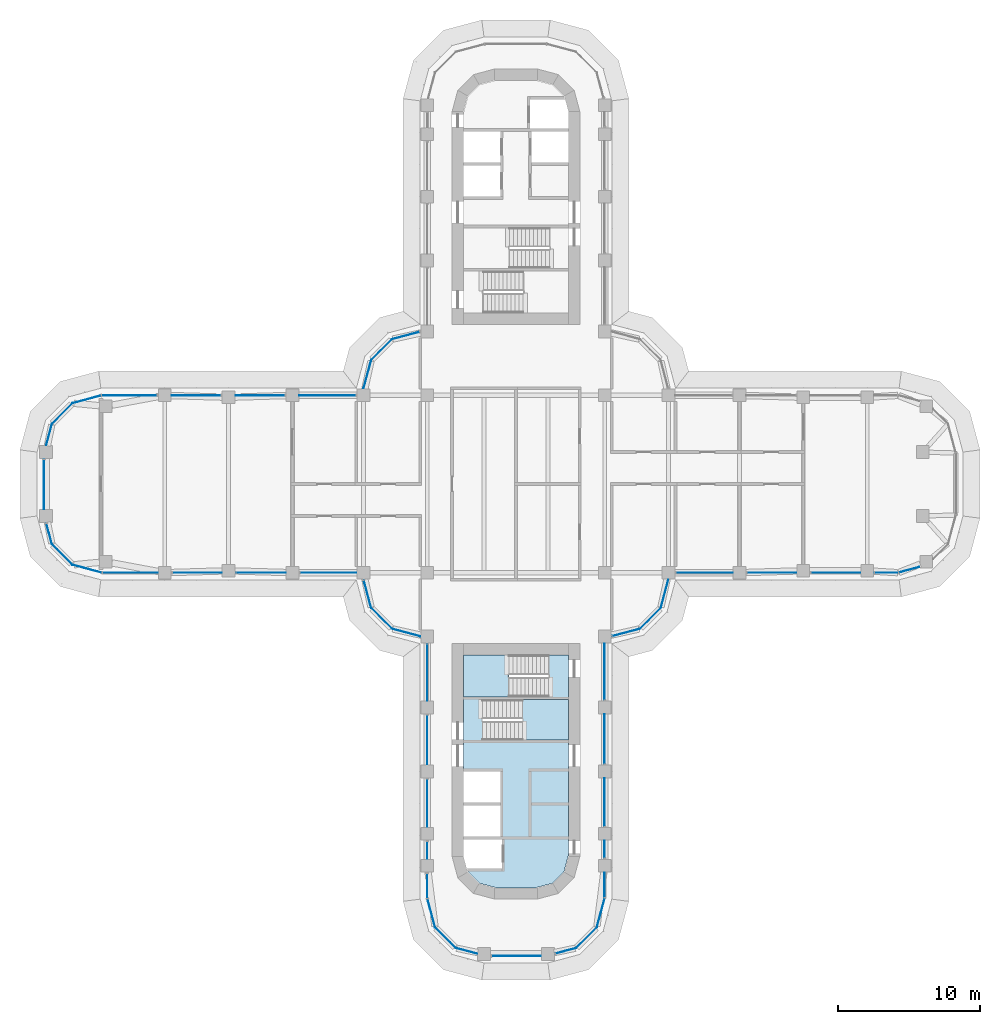
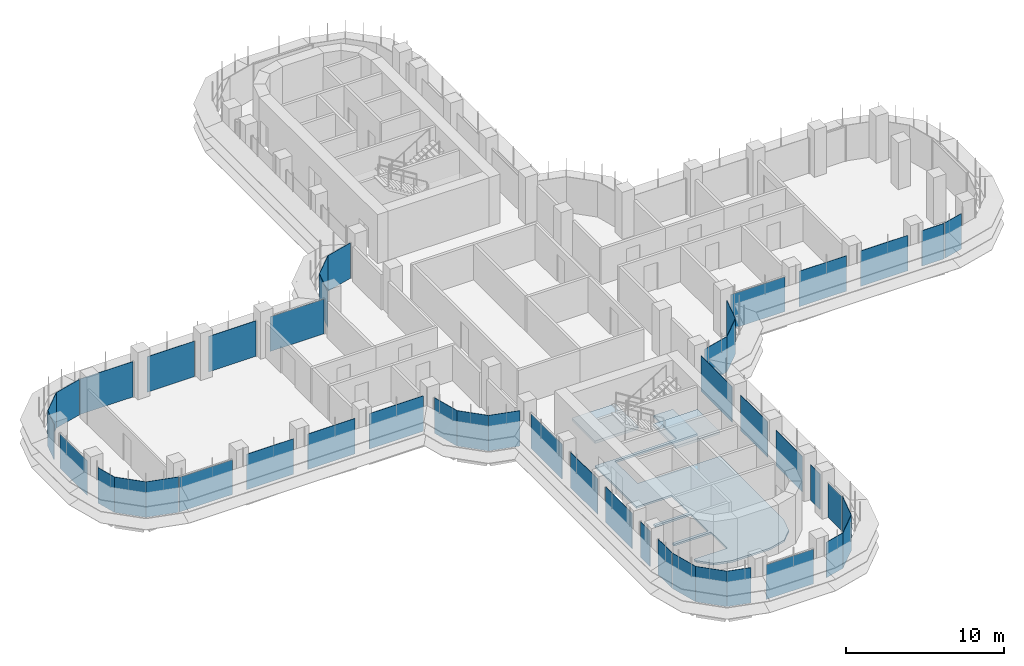
# One storey, part 12 of 22: 46 plates, 3 slabs, 31 elements without a shape of their own.
"""IFC4 building model written with IfcOpenShell, lengths in metres."""

from ifc_helpers import new_model, si_unit, direction, frame, origin, place, context, subcontext, project, spatial, polyline, outline, extrude, source, transform, mapped, material, layer, layer_set, type_object, element, aggregate, save


model = new_model("IFC4")

# Units and contexts
model_context = context("Model", 3, precision=1e-05, world=origin(), true_north=direction((0.0, 1.0)))
body_context = subcontext(model_context, "Body", "Model", "MODEL_VIEW")
ifc_project = project(units=[si_unit("LENGTHUNIT", "METRE"), si_unit("AREAUNIT", "SQUARE_METRE"), si_unit("VOLUMEUNIT", "CUBIC_METRE"), si_unit("PLANEANGLEUNIT", "RADIAN"), si_unit("MASSUNIT", "GRAM", prefix="KILO")], contexts=[model_context])

# Site, building, storey
site_placement = place(None, origin())
site = spatial("IfcSite", under=ifc_project, at=site_placement, CompositionType="ELEMENT")
building_placement = place(site_placement, origin())
building = spatial("IfcBuilding", under=site, at=building_placement, Name="Zarbagh Exchange Tower", CompositionType="ELEMENT")
storey_placement = place(building_placement, frame((0.0, 0.0, 132.199951171875)))
storey = spatial("IfcBuildingStorey", under=building, at=storey_placement, Name="L31", CompositionType="ELEMENT", Elevation=132.199951171875)

# Slab
ifc_material_1 = material(Name="Concrete C40/50", Category="concrete")
ifc_layer_1 = layer(ifc_material_1, 0.14990234375)
ifc_layer_set_1 = layer_set([ifc_layer_1], Name="Core floor slab 150 C40/50")
slab_type_1 = type_object("IfcSlabType", Name="Core floor slab 150 C40/50", PredefinedType="FLOOR", material=ifc_layer_set_1)
slab_1_placement = place(storey_placement, frame((0.0, 0.0, -0.14990234375)))
element("IfcSlab", 1, at=slab_1_placement, inside=storey, type_object=slab_type_1, Name="S17 core S", PredefinedType="FLOOR", context=body_context, shape_type="SweptSolid", body=[
    extrude(outline(polyline([(-2.5859375, -28.130859375), (-3.380859375, -27.3359375), (-3.646484375, -26.3447265625), (-3.444091796875, -27.10009765625), (-1.0, -27.10009765625), (-1.0, -25.050048828125), (-3.699951171875, -25.050048828125), (-3.699951171875, -24.85009765625), (-1.10009765625, -24.85009765625), (-1.10009765625, -22.64990234375), (-3.699951171875, -22.64990234375), (-3.699951171875, -22.449951171875), (-1.10009765625, -22.449951171875), (-1.10009765625, -20.25), (-3.699951171875, -20.25), (-3.699951171875, -15.0), (2.300048828125, -15.0), (2.300048828125, -12.050048828125), (3.699951171875, -12.050048828125), (3.699951171875, -15.199951171875), (-2.35009765625, -15.199951171875), (-2.35009765625, -18.050048828125), (3.699951171875, -18.050048828125), (3.699951171875, -26.144775390625), (3.380859375, -27.3359375), (2.5859375, -28.130859375), (1.394775390625, -28.449951171875), (-1.394775390625, -28.449951171875), (-2.5859375, -28.130859375)])), origin(), (0.0, 0.0, 1.0), 0.14990234375),
])

# Stair, slab
stair_type = type_object("IfcStairType", Name="Exit stair two-flight half-turn", PredefinedType="HALF_TURN_STAIR", material=ifc_material_1)
stair_1_placement = place(storey_placement, origin())
stair_1 = element("IfcStair", 2, at=stair_1_placement, inside=storey, type_object=stair_type, Name="exit stair ST3", PredefinedType="HALF_TURN_STAIR")
ifc_layer_2 = layer(ifc_material_1, 0.199951171875)
ifc_layer_set_2 = layer_set([ifc_layer_2], Name="Stair landing 200 mm")
slab_type_2 = type_object("IfcSlabType", Name="Stair landing 200 mm", PredefinedType="LANDING", material=ifc_layer_set_2)
slab_2_placement = place(storey_placement, frame((0.0, 0.0, 1.699951171875)))
slab_2 = element("IfcSlab", 3, at=slab_2_placement, type_object=slab_type_2, Name="ST3 landing 1", PredefinedType="LANDING", context=body_context, shape_type="SweptSolid", body=[
    extrude(outline(polyline([(0.449951171875, -18.050048828125), (3.699951171875, -18.050048828125), (3.699951171875, -15.199951171875), (0.449951171875, -15.199951171875), (0.449951171875, -18.050048828125)])), origin(), (0.0, 0.0, 1.0), 0.2001953125),
])
aggregate(stair_1, [slab_2])

stair_2_placement = place(storey_placement, origin())
stair_2 = element("IfcStair", 4, at=stair_2_placement, inside=storey, type_object=stair_type, Name="exit stair ST4", PredefinedType="HALF_TURN_STAIR")
slab_3_placement = place(storey_placement, frame((0.0, 0.0, 1.699951171875)))
slab_3 = element("IfcSlab", 5, at=slab_3_placement, type_object=slab_type_2, Name="ST4 landing 1", PredefinedType="LANDING", context=body_context, shape_type="SweptSolid", body=[
    extrude(outline(polyline([(-0.5, -12.050048828125), (-3.699951171875, -12.050048828125), (-3.699951171875, -15.0), (-0.5, -15.0), (-0.5, -12.050048828125)])), origin(), (0.0, 0.0, 1.0), 0.2001953125),
])
aggregate(stair_2, [slab_3])

# Curtain wall, plate
ifc_material_2 = material(Name="Anodised aluminium frame and glazing", Category="aluminium")
curtain_wall_type = type_object("IfcCurtainWallType", Name="CWA Ribbon glazing, lower zones", PredefinedType="NOTDEFINED", material=ifc_material_2)
curtain_wall_1_placement = place(storey_placement, origin())
curtain_wall_1 = element("IfcCurtainWall", 6, at=curtain_wall_1_placement, inside=storey, type_object=curtain_wall_type, Name="CWA01 curtain wall", PredefinedType="NOTDEFINED")
ifc_material_3 = material(Name="Low-e double glazed unit, 6+12+6 mm")
ifc_layer_3 = layer(ifc_material_3, 0.028076171875)
ifc_layer_set_3 = layer_set([ifc_layer_3], Name="PAA Glazing panel, Low-e double glazed unit, 6+12+6 mm")
plate_type = type_object("IfcPlateType", Name="PAA Glazing panel, Low-e double glazed unit, 6+12+6 mm", PredefinedType="CURTAIN_PANEL", material=ifc_layer_set_3)
shared_shape_1 = source(origin(), body_context, "Body", "SweptSolid", [
    extrude(outline(polyline([(0.0, -0.013916015625), (1.494140625, -0.013916015625), (1.494140625, 0.013916015625), (0.0, 0.013916015625), (0.0, -0.013916015625)])), origin(), (0.0, 0.0, 1.0), 2.75),
])
placement = place(storey_placement, origin())
plate_1 = element("IfcPlate", 7, at=placement, type_object=plate_type, Name="CWA01 glazing panel 1.1", PredefinedType="CURTAIN_PANEL", context=body_context, shape_type="MappedRepresentation", body=[
    mapped(shared_shape_1, transform((2.7978515625, -33.08544921875, 0.0), x_axis=(0.965924289636, 0.258824779902, 0.0), y_axis=(-0.258824779902, 0.965924289636, 0.0), z_axis=(0.0, 0.0, 1.0))),
])
aggregate(curtain_wall_1, [plate_1])

curtain_wall_2_placement = place(storey_placement, origin())
curtain_wall_2 = element("IfcCurtainWall", 8, at=curtain_wall_2_placement, inside=storey, type_object=curtain_wall_type, Name="CWA37 curtain wall", PredefinedType="NOTDEFINED")
plate_2 = element("IfcPlate", 9, at=placement, type_object=plate_type, Name="CWA37 glazing panel 1.1", PredefinedType="CURTAIN_PANEL", context=body_context, shape_type="MappedRepresentation", body=[
    mapped(shared_shape_1, transform((-33.08544921875, -2.7978515625, 0.0), x_axis=(0.258824779902, -0.965924289636, 0.0), y_axis=(0.965924289636, 0.258824779902, 0.0), z_axis=(0.0, 0.0, 1.0))),
])
aggregate(curtain_wall_2, [plate_2])

curtain_wall_3_placement = place(storey_placement, origin())
curtain_wall_3 = element("IfcCurtainWall", 10, at=curtain_wall_3_placement, inside=storey, type_object=curtain_wall_type, Name="CWA02 curtain wall", PredefinedType="NOTDEFINED")
shared_shape_2 = source(origin(), body_context, "Body", "SweptSolid", [
    extrude(outline(polyline([(0.0, -0.013916015625), (2.061279296875, -0.013916015625), (2.061279296875, 0.013916015625), (0.0, 0.013916015625), (0.0, -0.013916015625)])), origin(), (0.0, 0.0, 1.0), 2.75),
])
plate_3 = element("IfcPlate", 11, at=placement, type_object=plate_type, Name="CWA02 glazing panel 1.1", PredefinedType="CURTAIN_PANEL", context=body_context, shape_type="MappedRepresentation", body=[
    mapped(shared_shape_2, transform((4.2412109375, -32.69873046875, 0.0), x_axis=(0.707106781187, 0.707106781187, 0.0), y_axis=(-0.707106781187, 0.707106781187, 0.0), z_axis=(0.0, 0.0, 1.0))),
])
aggregate(curtain_wall_3, [plate_3])

curtain_wall_4_placement = place(storey_placement, origin())
curtain_wall_4 = element("IfcCurtainWall", 12, at=curtain_wall_4_placement, inside=storey, type_object=curtain_wall_type, Name="CWA06 curtain wall", PredefinedType="NOTDEFINED")
plate_4 = element("IfcPlate", 13, at=placement, type_object=plate_type, Name="CWA06 glazing panel 1.1", PredefinedType="CURTAIN_PANEL", context=body_context, shape_type="MappedRepresentation", body=[
    mapped(shared_shape_2, transform((8.7412109375, -10.19873046875, 0.0), x_axis=(0.707106781187, 0.707106781187, 0.0), y_axis=(-0.707106781187, 0.707106781187, 0.0), z_axis=(0.0, 0.0, 1.0))),
])
aggregate(curtain_wall_4, [plate_4])

curtain_wall_5_placement = place(storey_placement, origin())
curtain_wall_5 = element("IfcCurtainWall", 14, at=curtain_wall_5_placement, inside=storey, type_object=curtain_wall_type, Name="CWA30 curtain wall", PredefinedType="NOTDEFINED")
plate_5 = element("IfcPlate", 15, at=placement, type_object=plate_type, Name="CWA30 glazing panel 1.1", PredefinedType="CURTAIN_PANEL", context=body_context, shape_type="MappedRepresentation", body=[
    mapped(shared_shape_2, transform((-8.7412109375, 10.19873046875, 0.0), x_axis=(-0.707106781187, -0.707106781187, 0.0), y_axis=(0.707106781187, -0.707106781187, 0.0), z_axis=(0.0, 0.0, 1.0))),
])
aggregate(curtain_wall_5, [plate_5])

curtain_wall_6_placement = place(storey_placement, origin())
curtain_wall_6 = element("IfcCurtainWall", 16, at=curtain_wall_6_placement, inside=storey, type_object=curtain_wall_type, Name="CWA34 curtain wall", PredefinedType="NOTDEFINED")
plate_6 = element("IfcPlate", 17, at=placement, type_object=plate_type, Name="CWA34 glazing panel 1.1", PredefinedType="CURTAIN_PANEL", context=body_context, shape_type="MappedRepresentation", body=[
    mapped(shared_shape_2, transform((-31.2412109375, 5.69873046875, 0.0), x_axis=(-0.707106781187, -0.707106781187, 0.0), y_axis=(0.707106781187, -0.707106781187, 0.0), z_axis=(0.0, 0.0, 1.0))),
])
aggregate(curtain_wall_6, [plate_6])

curtain_wall_7_placement = place(storey_placement, origin())
curtain_wall_7 = element("IfcCurtainWall", 18, at=curtain_wall_7_placement, inside=storey, type_object=curtain_wall_type, Name="CWA38 curtain wall", PredefinedType="NOTDEFINED")
plate_7 = element("IfcPlate", 19, at=placement, type_object=plate_type, Name="CWA38 glazing panel 1.1", PredefinedType="CURTAIN_PANEL", context=body_context, shape_type="MappedRepresentation", body=[
    mapped(shared_shape_2, transform((-32.69873046875, -4.2412109375, 0.0), x_axis=(0.707106781187, -0.707106781187, 0.0), y_axis=(0.707106781187, 0.707106781187, 0.0), z_axis=(0.0, 0.0, 1.0))),
])
aggregate(curtain_wall_7, [plate_7])

curtain_wall_8_placement = place(storey_placement, origin())
curtain_wall_8 = element("IfcCurtainWall", 20, at=curtain_wall_8_placement, inside=storey, type_object=curtain_wall_type, Name="CWA42 curtain wall", PredefinedType="NOTDEFINED")
plate_8 = element("IfcPlate", 21, at=placement, type_object=plate_type, Name="CWA42 glazing panel 1.1", PredefinedType="CURTAIN_PANEL", context=body_context, shape_type="MappedRepresentation", body=[
    mapped(shared_shape_2, transform((-10.19873046875, -8.7412109375, 0.0), x_axis=(0.707106781187, -0.707106781187, 0.0), y_axis=(0.707106781187, 0.707106781187, 0.0), z_axis=(0.0, 0.0, 1.0))),
])
aggregate(curtain_wall_8, [plate_8])

curtain_wall_9_placement = place(storey_placement, origin())
curtain_wall_9 = element("IfcCurtainWall", 22, at=curtain_wall_9_placement, inside=storey, type_object=curtain_wall_type, Name="CWA46 curtain wall", PredefinedType="NOTDEFINED")
plate_9 = element("IfcPlate", 23, at=placement, type_object=plate_type, Name="CWA46 glazing panel 1.1", PredefinedType="CURTAIN_PANEL", context=body_context, shape_type="MappedRepresentation", body=[
    mapped(shared_shape_2, transform((-5.69873046875, -31.2412109375, 0.0), x_axis=(0.707106781187, -0.707106781187, 0.0), y_axis=(0.707106781187, 0.707106781187, 0.0), z_axis=(0.0, 0.0, 1.0))),
])
aggregate(curtain_wall_9, [plate_9])

curtain_wall_10_placement = place(storey_placement, origin())
curtain_wall_10 = element("IfcCurtainWall", 24, at=curtain_wall_10_placement, inside=storey, type_object=curtain_wall_type, Name="CWA03 curtain wall", PredefinedType="NOTDEFINED")
shared_shape_3 = source(origin(), body_context, "Body", "SweptSolid", [
    extrude(outline(polyline([(0.0, -0.013916015625), (2.129638671875, -0.013916015625), (2.129638671875, 0.013916015625), (0.0, 0.013916015625), (0.0, -0.013916015625)])), origin(), (0.0, 0.0, 1.0), 2.75),
])
plate_10 = element("IfcPlate", 25, at=placement, type_object=plate_type, Name="CWA03 glazing panel 1.1", PredefinedType="CURTAIN_PANEL", context=body_context, shape_type="MappedRepresentation", body=[
    mapped(shared_shape_3, transform((5.69873046875, -31.2412109375, 0.0), x_axis=(0.258824779902, 0.965924289636, 0.0), y_axis=(-0.965924289636, 0.258824779902, 0.0), z_axis=(0.0, 0.0, 1.0))),
])
aggregate(curtain_wall_10, [plate_10])

curtain_wall_11_placement = place(storey_placement, origin())
curtain_wall_11 = element("IfcCurtainWall", 26, at=curtain_wall_11_placement, inside=storey, type_object=curtain_wall_type, Name="CWA39 curtain wall", PredefinedType="NOTDEFINED")
plate_11 = element("IfcPlate", 27, at=placement, type_object=plate_type, Name="CWA39 glazing panel 1.1", PredefinedType="CURTAIN_PANEL", context=body_context, shape_type="MappedRepresentation", body=[
    mapped(shared_shape_3, transform((-31.2412109375, -5.69873046875, 0.0), x_axis=(0.965924289636, -0.258824779902, 0.0), y_axis=(0.258824779902, 0.965924289636, 0.0), z_axis=(0.0, 0.0, 1.0))),
])
aggregate(curtain_wall_11, [plate_11])

# Curtain wall, plates
curtain_wall_12_placement = place(storey_placement, origin())
curtain_wall_12 = element("IfcCurtainWall", 28, at=curtain_wall_12_placement, inside=storey, type_object=curtain_wall_type, Name="CWA04 curtain wall", PredefinedType="NOTDEFINED")
shared_shape_4 = source(origin(), body_context, "Body", "SweptSolid", [
    extrude(outline(polyline([(0.0, -0.013916015625), (1.734130859375, -0.013916015625), (1.734130859375, 0.013916015625), (0.0, 0.013916015625), (0.0, -0.013916015625)])), origin(), (0.0, 0.0, 1.0), 2.68994140625),
])
plate_12 = element("IfcPlate", 29, at=placement, type_object=plate_type, Name="CWA04 glazing panel 1.1", PredefinedType="CURTAIN_PANEL", context=body_context, shape_type="MappedRepresentation", body=[
    mapped(shared_shape_4, transform((6.25, -29.124267578125, 0.0), x_axis=(0.0, 1.0, 0.0), y_axis=(-1.0, 0.0, 0.0), z_axis=(0.0, 0.0, 1.0))),
])
shared_shape_5 = source(origin(), body_context, "Body", "SweptSolid", [
    extrude(outline(polyline([(0.0, -0.013916015625), (1.2099609375, -0.013916015625), (1.2099609375, 0.013916015625), (0.0, 0.013916015625), (0.0, -0.013916015625)])), origin(), (0.0, 0.0, 1.0), 2.75),
])
plate_13 = element("IfcPlate", 30, at=placement, type_object=plate_type, Name="CWA04 glazing panel 2.1", PredefinedType="CURTAIN_PANEL", context=body_context, shape_type="MappedRepresentation", body=[
    mapped(shared_shape_5, transform((6.25, -26.349853515625, 0.0), x_axis=(0.0, 1.0, 0.0), y_axis=(-1.0, 0.0, 0.0), z_axis=(0.0, 0.0, 1.0))),
])

# Curtain wall, plate
curtain_wall_13_placement = place(storey_placement, origin())
curtain_wall_13 = element("IfcCurtainWall", 31, at=curtain_wall_13_placement, inside=storey, type_object=curtain_wall_type, Name="CWA44 curtain wall", PredefinedType="NOTDEFINED")
plate_14 = element("IfcPlate", 32, at=placement, type_object=plate_type, Name="CWA44 glazing panel 4.1", PredefinedType="CURTAIN_PANEL", context=body_context, shape_type="MappedRepresentation", body=[
    mapped(shared_shape_5, transform((-6.25, -25.199951171875, 0.0), x_axis=(0.0, -1.0, 0.0), y_axis=(1.0, 0.0, 0.0), z_axis=(0.0, 0.0, 1.0))),
])

# Plate
shared_shape_6 = source(origin(), body_context, "Body", "SweptSolid", [
    extrude(outline(polyline([(0.0, -0.013916015625), (3.360107421875, -0.013916015625), (3.360107421875, 0.013916015625), (0.0, 0.013916015625), (0.0, -0.013916015625)])), origin(), (0.0, 0.0, 1.0), 2.75),
])
plate_15 = element("IfcPlate", 33, at=placement, type_object=plate_type, Name="CWA04 glazing panel 3.1", PredefinedType="CURTAIN_PANEL", context=body_context, shape_type="MappedRepresentation", body=[
    mapped(shared_shape_6, transform((6.25, -24.099853515625, 0.0), x_axis=(0.0, 1.0, 0.0), y_axis=(-1.0, 0.0, 0.0), z_axis=(0.0, 0.0, 1.0))),
])

plate_16 = element("IfcPlate", 34, at=placement, type_object=plate_type, Name="CWA44 glazing panel 3.1", PredefinedType="CURTAIN_PANEL", context=body_context, shape_type="MappedRepresentation", body=[
    mapped(shared_shape_6, transform((-6.25, -20.800048828125, 0.0), x_axis=(0.0, -1.0, 0.0), y_axis=(1.0, 0.0, 0.0), z_axis=(0.0, 0.0, 1.0))),
])

shared_shape_7 = source(origin(), body_context, "Body", "SweptSolid", [
    extrude(outline(polyline([(0.0, -0.013916015625), (3.4599609375, -0.013916015625), (3.4599609375, 0.013916015625), (0.0, 0.013916015625), (0.0, -0.013916015625)])), origin(), (0.0, 0.0, 1.0), 2.75),
])
plate_17 = element("IfcPlate", 35, at=placement, type_object=plate_type, Name="CWA04 glazing panel 4.1", PredefinedType="CURTAIN_PANEL", context=body_context, shape_type="MappedRepresentation", body=[
    mapped(shared_shape_7, transform((6.25, -19.699951171875, 0.0), x_axis=(0.0, 1.0, 0.0), y_axis=(-1.0, 0.0, 0.0), z_axis=(0.0, 0.0, 1.0))),
])

# Curtain wall, plates
curtain_wall_14_placement = place(storey_placement, origin())
curtain_wall_14 = element("IfcCurtainWall", 36, at=curtain_wall_14_placement, inside=storey, type_object=curtain_wall_type, Name="CWA58 curtain wall", PredefinedType="NOTDEFINED")
plate_18 = element("IfcPlate", 37, at=placement, type_object=plate_type, Name="CWA58 glazing panel 2.1", PredefinedType="CURTAIN_PANEL", context=body_context, shape_type="MappedRepresentation", body=[
    mapped(shared_shape_7, transform((16.300048828125, -6.25, 0.0), x_axis=(1.0, 0.0, 0.0), y_axis=(0.0, 1.0, 0.0), z_axis=(0.0, 0.0, 1.0))),
])
plate_19 = element("IfcPlate", 38, at=placement, type_object=plate_type, Name="CWA58 glazing panel 3.1", PredefinedType="CURTAIN_PANEL", context=body_context, shape_type="MappedRepresentation", body=[
    mapped(shared_shape_7, transform((20.800048828125, -6.25, 0.0), x_axis=(1.0, 0.0, 0.0), y_axis=(0.0, 1.0, 0.0), z_axis=(0.0, 0.0, 1.0))),
])

curtain_wall_15_placement = place(storey_placement, origin())
curtain_wall_15 = element("IfcCurtainWall", 39, at=curtain_wall_15_placement, inside=storey, type_object=curtain_wall_type, Name="CWA32 curtain wall", PredefinedType="NOTDEFINED")
plate_20 = element("IfcPlate", 40, at=placement, type_object=plate_type, Name="CWA32 glazing panel 2.1", PredefinedType="CURTAIN_PANEL", context=body_context, shape_type="MappedRepresentation", body=[
    mapped(shared_shape_7, transform((-16.300048828125, 6.25, 0.0), x_axis=(-1.0, 0.0, 0.0), y_axis=(0.0, -1.0, 0.0), z_axis=(0.0, 0.0, 1.0))),
])
plate_21 = element("IfcPlate", 41, at=placement, type_object=plate_type, Name="CWA32 glazing panel 3.1", PredefinedType="CURTAIN_PANEL", context=body_context, shape_type="MappedRepresentation", body=[
    mapped(shared_shape_7, transform((-20.800048828125, 6.25, 0.0), x_axis=(-1.0, 0.0, 0.0), y_axis=(0.0, -1.0, 0.0), z_axis=(0.0, 0.0, 1.0))),
])

curtain_wall_16_placement = place(storey_placement, origin())
curtain_wall_16 = element("IfcCurtainWall", 42, at=curtain_wall_16_placement, inside=storey, type_object=curtain_wall_type, Name="CWA40 curtain wall", PredefinedType="NOTDEFINED")
plate_22 = element("IfcPlate", 43, at=placement, type_object=plate_type, Name="CWA40 glazing panel 2.1", PredefinedType="CURTAIN_PANEL", context=body_context, shape_type="MappedRepresentation", body=[
    mapped(shared_shape_7, transform((-24.199951171875, -6.25, 0.0), x_axis=(1.0, 0.0, 0.0), y_axis=(0.0, 1.0, 0.0), z_axis=(0.0, 0.0, 1.0))),
])
plate_23 = element("IfcPlate", 44, at=placement, type_object=plate_type, Name="CWA40 glazing panel 3.1", PredefinedType="CURTAIN_PANEL", context=body_context, shape_type="MappedRepresentation", body=[
    mapped(shared_shape_7, transform((-19.699951171875, -6.25, 0.0), x_axis=(1.0, 0.0, 0.0), y_axis=(0.0, 1.0, 0.0), z_axis=(0.0, 0.0, 1.0))),
])

# Plate
plate_24 = element("IfcPlate", 45, at=placement, type_object=plate_type, Name="CWA44 glazing panel 2.1", PredefinedType="CURTAIN_PANEL", context=body_context, shape_type="MappedRepresentation", body=[
    mapped(shared_shape_7, transform((-6.25, -16.300048828125, 0.0), x_axis=(0.0, -1.0, 0.0), y_axis=(1.0, 0.0, 0.0), z_axis=(0.0, 0.0, 1.0))),
])

shared_shape_8 = source(origin(), body_context, "Body", "SweptSolid", [
    extrude(outline(polyline([(0.0, -0.013916015625), (3.9599609375, -0.013916015625), (3.9599609375, 0.013916015625), (0.0, 0.013916015625), (0.0, -0.013916015625)])), origin(), (0.0, 0.0, 1.0), 2.75),
])
plate_25 = element("IfcPlate", 46, at=placement, type_object=plate_type, Name="CWA04 glazing panel 5.1", PredefinedType="CURTAIN_PANEL", context=body_context, shape_type="MappedRepresentation", body=[
    mapped(shared_shape_8, transform((6.25, -15.199951171875, 0.0), x_axis=(0.0, 1.0, 0.0), y_axis=(-1.0, 0.0, 0.0), z_axis=(0.0, 0.0, 1.0))),
])

aggregate(curtain_wall_12, [plate_12, plate_13, plate_15, plate_17, plate_25])

plate_26 = element("IfcPlate", 47, at=placement, type_object=plate_type, Name="CWA40 glazing panel 4.1", PredefinedType="CURTAIN_PANEL", context=body_context, shape_type="MappedRepresentation", body=[
    mapped(shared_shape_8, transform((-15.199951171875, -6.25, 0.0), x_axis=(1.0, 0.0, 0.0), y_axis=(0.0, 1.0, 0.0), z_axis=(0.0, 0.0, 1.0))),
])

# Curtain wall, plate
curtain_wall_17_placement = place(storey_placement, origin())
curtain_wall_17 = element("IfcCurtainWall", 48, at=curtain_wall_17_placement, inside=storey, type_object=curtain_wall_type, Name="CWA05 curtain wall", PredefinedType="NOTDEFINED")
shared_shape_9 = source(origin(), body_context, "Body", "SweptSolid", [
    extrude(outline(polyline([(0.0, -0.013916015625), (2.01171875, -0.013916015625), (2.01171875, 0.013916015625), (0.0, 0.013916015625), (0.0, -0.013916015625)])), origin(), (0.0, 0.0, 1.0), 2.75),
])
plate_27 = element("IfcPlate", 49, at=placement, type_object=plate_type, Name="CWA05 glazing panel 1.1", PredefinedType="CURTAIN_PANEL", context=body_context, shape_type="MappedRepresentation", body=[
    mapped(shared_shape_9, transform((6.7978515625, -10.719482421875, 0.0), x_axis=(0.965924289636, 0.258824779902, 0.0), y_axis=(-0.258824779902, 0.965924289636, 0.0), z_axis=(0.0, 0.0, 1.0))),
])
aggregate(curtain_wall_17, [plate_27])

curtain_wall_18_placement = place(storey_placement, origin())
curtain_wall_18 = element("IfcCurtainWall", 50, at=curtain_wall_18_placement, inside=storey, type_object=curtain_wall_type, Name="CWA29 curtain wall", PredefinedType="NOTDEFINED")
plate_28 = element("IfcPlate", 51, at=placement, type_object=plate_type, Name="CWA29 glazing panel 1.1", PredefinedType="CURTAIN_PANEL", context=body_context, shape_type="MappedRepresentation", body=[
    mapped(shared_shape_9, transform((-6.7978515625, 10.719482421875, 0.0), x_axis=(-0.965924289636, -0.258824779902, 0.0), y_axis=(0.258824779902, -0.965924289636, 0.0), z_axis=(0.0, 0.0, 1.0))),
])
aggregate(curtain_wall_18, [plate_28])

curtain_wall_19_placement = place(storey_placement, origin())
curtain_wall_19 = element("IfcCurtainWall", 52, at=curtain_wall_19_placement, inside=storey, type_object=curtain_wall_type, Name="CWA41 curtain wall", PredefinedType="NOTDEFINED")
plate_29 = element("IfcPlate", 53, at=placement, type_object=plate_type, Name="CWA41 glazing panel 1.1", PredefinedType="CURTAIN_PANEL", context=body_context, shape_type="MappedRepresentation", body=[
    mapped(shared_shape_9, transform((-10.719482421875, -6.7978515625, 0.0), x_axis=(0.258824779902, -0.965924289636, 0.0), y_axis=(0.965924289636, 0.258824779902, 0.0), z_axis=(0.0, 0.0, 1.0))),
])
aggregate(curtain_wall_19, [plate_29])

curtain_wall_20_placement = place(storey_placement, origin())
curtain_wall_20 = element("IfcCurtainWall", 54, at=curtain_wall_20_placement, inside=storey, type_object=curtain_wall_type, Name="CWA07 curtain wall", PredefinedType="NOTDEFINED")
shared_shape_10 = source(origin(), body_context, "Body", "SweptSolid", [
    extrude(outline(polyline([(0.0, -0.013916015625), (2.07177734375, -0.013916015625), (2.07177734375, 0.013916015625), (0.0, 0.013916015625), (0.0, -0.013916015625)])), origin(), (0.0, 0.0, 1.0), 2.75),
])
plate_30 = element("IfcPlate", 55, at=placement, type_object=plate_type, Name="CWA07 glazing panel 1.1", PredefinedType="CURTAIN_PANEL", context=body_context, shape_type="MappedRepresentation", body=[
    mapped(shared_shape_10, transform((10.19873046875, -8.7412109375, 0.0), x_axis=(0.258824779902, 0.965924289636, 0.0), y_axis=(-0.965924289636, 0.258824779902, 0.0), z_axis=(0.0, 0.0, 1.0))),
])
aggregate(curtain_wall_20, [plate_30])

curtain_wall_21_placement = place(storey_placement, origin())
curtain_wall_21 = element("IfcCurtainWall", 56, at=curtain_wall_21_placement, inside=storey, type_object=curtain_wall_type, Name="CWA31 curtain wall", PredefinedType="NOTDEFINED")
plate_31 = element("IfcPlate", 57, at=placement, type_object=plate_type, Name="CWA31 glazing panel 1.1", PredefinedType="CURTAIN_PANEL", context=body_context, shape_type="MappedRepresentation", body=[
    mapped(shared_shape_10, transform((-10.19873046875, 8.7412109375, 0.0), x_axis=(-0.258824779902, -0.965924289636, 0.0), y_axis=(0.965924289636, -0.258824779902, 0.0), z_axis=(0.0, 0.0, 1.0))),
])
aggregate(curtain_wall_21, [plate_31])

curtain_wall_22_placement = place(storey_placement, origin())
curtain_wall_22 = element("IfcCurtainWall", 58, at=curtain_wall_22_placement, inside=storey, type_object=curtain_wall_type, Name="CWA43 curtain wall", PredefinedType="NOTDEFINED")
plate_32 = element("IfcPlate", 59, at=placement, type_object=plate_type, Name="CWA43 glazing panel 1.1", PredefinedType="CURTAIN_PANEL", context=body_context, shape_type="MappedRepresentation", body=[
    mapped(shared_shape_10, transform((-8.7412109375, -10.19873046875, 0.0), x_axis=(0.965924289636, -0.258824779902, 0.0), y_axis=(0.258824779902, 0.965924289636, 0.0), z_axis=(0.0, 0.0, 1.0))),
])
aggregate(curtain_wall_22, [plate_32])

# Plate
shared_shape_11 = source(origin(), body_context, "Body", "SweptSolid", [
    extrude(outline(polyline([(0.0, -0.013916015625), (3.9599609375, -0.013916015625), (3.9599609375, 0.013916015625), (0.0, 0.013916015625), (0.0, -0.013916015625)])), origin(), (0.0, 0.0, 1.0), 2.68994140625),
])
plate_33 = element("IfcPlate", 60, at=placement, type_object=plate_type, Name="CWA58 glazing panel 1.1", PredefinedType="CURTAIN_PANEL", context=body_context, shape_type="MappedRepresentation", body=[
    mapped(shared_shape_11, transform((11.300048828125, -6.25, 0.0), x_axis=(1.0, 0.0, 0.0), y_axis=(0.0, 1.0, 0.0), z_axis=(0.0, 0.0, 1.0))),
])

plate_34 = element("IfcPlate", 61, at=placement, type_object=plate_type, Name="CWA32 glazing panel 1.1", PredefinedType="CURTAIN_PANEL", context=body_context, shape_type="MappedRepresentation", body=[
    mapped(shared_shape_11, transform((-11.300048828125, 6.25, 0.0), x_axis=(-1.0, 0.0, 0.0), y_axis=(0.0, -1.0, 0.0), z_axis=(0.0, 0.0, 1.0))),
])

plate_35 = element("IfcPlate", 62, at=placement, type_object=plate_type, Name="CWA44 glazing panel 1.1", PredefinedType="CURTAIN_PANEL", context=body_context, shape_type="MappedRepresentation", body=[
    mapped(shared_shape_11, transform((-6.25, -11.300048828125, 0.0), x_axis=(0.0, -1.0, 0.0), y_axis=(1.0, 0.0, 0.0), z_axis=(0.0, 0.0, 1.0))),
])

shared_shape_12 = source(origin(), body_context, "Body", "SweptSolid", [
    extrude(outline(polyline([(0.0, -0.013916015625), (3.884033203125, -0.013916015625), (3.884033203125, 0.013916015625), (0.0, 0.013916015625), (0.0, -0.013916015625)])), origin(), (0.0, 0.0, 1.0), 2.75),
])
plate_36 = element("IfcPlate", 63, at=placement, type_object=plate_type, Name="CWA32 glazing panel 4.1", PredefinedType="CURTAIN_PANEL", context=body_context, shape_type="MappedRepresentation", body=[
    mapped(shared_shape_12, transform((-25.300048828125, 6.25, 0.0), x_axis=(-1.0, 0.0, 0.0), y_axis=(0.0, -1.0, 0.0), z_axis=(0.0, 0.0, 1.0))),
])

aggregate(curtain_wall_15, [plate_34, plate_20, plate_21, plate_36])

# Curtain wall, plate
curtain_wall_23_placement = place(storey_placement, origin())
curtain_wall_23 = element("IfcCurtainWall", 64, at=curtain_wall_23_placement, inside=storey, type_object=curtain_wall_type, Name="CWA33 curtain wall", PredefinedType="NOTDEFINED")
shared_shape_13 = source(origin(), body_context, "Body", "SweptSolid", [
    extrude(outline(polyline([(0.0, -0.013916015625), (2.069580078125, -0.013916015625), (2.069580078125, 0.013916015625), (0.0, 0.013916015625), (0.0, -0.013916015625)])), origin(), (0.0, 0.0, 1.0), 2.75),
])
plate_37 = element("IfcPlate", 65, at=placement, type_object=plate_type, Name="CWA33 glazing panel 1.1", PredefinedType="CURTAIN_PANEL", context=body_context, shape_type="MappedRepresentation", body=[
    mapped(shared_shape_13, transform((-29.2421875, 6.234375, 0.0), x_axis=(-0.965924289636, -0.258824779902, 0.0), y_axis=(0.258824779902, -0.965924289636, 0.0), z_axis=(0.0, 0.0, 1.0))),
])
aggregate(curtain_wall_23, [plate_37])

curtain_wall_24_placement = place(storey_placement, origin())
curtain_wall_24 = element("IfcCurtainWall", 66, at=curtain_wall_24_placement, inside=storey, type_object=curtain_wall_type, Name="CWA45 curtain wall", PredefinedType="NOTDEFINED")
plate_38 = element("IfcPlate", 67, at=placement, type_object=plate_type, Name="CWA45 glazing panel 1.1", PredefinedType="CURTAIN_PANEL", context=body_context, shape_type="MappedRepresentation", body=[
    mapped(shared_shape_13, transform((-6.234375, -29.2421875, 0.0), x_axis=(0.258824779902, -0.965924289636, 0.0), y_axis=(0.965924289636, 0.258824779902, 0.0), z_axis=(0.0, 0.0, 1.0))),
])
aggregate(curtain_wall_24, [plate_38])

curtain_wall_25_placement = place(storey_placement, origin())
curtain_wall_25 = element("IfcCurtainWall", 68, at=curtain_wall_25_placement, inside=storey, type_object=curtain_wall_type, Name="CWA35 curtain wall", PredefinedType="NOTDEFINED")
shared_shape_14 = source(origin(), body_context, "Body", "SweptSolid", [
    extrude(outline(polyline([(0.0, -0.013916015625), (1.55419921875, -0.013916015625), (1.55419921875, 0.013916015625), (0.0, 0.013916015625), (0.0, -0.013916015625)])), origin(), (0.0, 0.0, 1.0), 2.75),
])
plate_39 = element("IfcPlate", 69, at=placement, type_object=plate_type, Name="CWA35 glazing panel 1.1", PredefinedType="CURTAIN_PANEL", context=body_context, shape_type="MappedRepresentation", body=[
    mapped(shared_shape_14, transform((-32.69873046875, 4.2412109375, 0.0), x_axis=(-0.258824779902, -0.965924289636, 0.0), y_axis=(0.965924289636, -0.258824779902, 0.0), z_axis=(0.0, 0.0, 1.0))),
])
aggregate(curtain_wall_25, [plate_39])

curtain_wall_26_placement = place(storey_placement, origin())
curtain_wall_26 = element("IfcCurtainWall", 70, at=curtain_wall_26_placement, inside=storey, type_object=curtain_wall_type, Name="CWA47 curtain wall", PredefinedType="NOTDEFINED")
plate_40 = element("IfcPlate", 71, at=placement, type_object=plate_type, Name="CWA47 glazing panel 1.1", PredefinedType="CURTAIN_PANEL", context=body_context, shape_type="MappedRepresentation", body=[
    mapped(shared_shape_14, transform((-4.2412109375, -32.69873046875, 0.0), x_axis=(0.965924289636, -0.258824779902, 0.0), y_axis=(0.258824779902, 0.965924289636, 0.0), z_axis=(0.0, 0.0, 1.0))),
])
aggregate(curtain_wall_26, [plate_40])

curtain_wall_27_placement = place(storey_placement, origin())
curtain_wall_27 = element("IfcCurtainWall", 72, at=curtain_wall_27_placement, inside=storey, type_object=curtain_wall_type, Name="CWA36 curtain wall", PredefinedType="NOTDEFINED")
shared_shape_15 = source(origin(), body_context, "Body", "SweptSolid", [
    extrude(outline(polyline([(0.0, -0.013916015625), (3.4599609375, -0.013916015625), (3.4599609375, 0.013916015625), (0.0, 0.013916015625), (0.0, -0.013916015625)])), origin(), (0.0, 0.0, 1.0), 2.68994140625),
])
plate_41 = element("IfcPlate", 73, at=placement, type_object=plate_type, Name="CWA36 glazing panel 1.1", PredefinedType="CURTAIN_PANEL", context=body_context, shape_type="MappedRepresentation", body=[
    mapped(shared_shape_15, transform((-33.25, 1.699951171875, 0.0), x_axis=(0.0, -1.0, 0.0), y_axis=(1.0, 0.0, 0.0), z_axis=(0.0, 0.0, 1.0))),
])
aggregate(curtain_wall_27, [plate_41])

curtain_wall_28_placement = place(storey_placement, origin())
curtain_wall_28 = element("IfcCurtainWall", 74, at=curtain_wall_28_placement, inside=storey, type_object=curtain_wall_type, Name="CWA48 curtain wall", PredefinedType="NOTDEFINED")
plate_42 = element("IfcPlate", 75, at=placement, type_object=plate_type, Name="CWA48 glazing panel 1.1", PredefinedType="CURTAIN_PANEL", context=body_context, shape_type="MappedRepresentation", body=[
    mapped(shared_shape_15, transform((-1.699951171875, -33.25, 0.0), x_axis=(1.0, 0.0, 0.0), y_axis=(0.0, 1.0, 0.0), z_axis=(0.0, 0.0, 1.0))),
])
aggregate(curtain_wall_28, [plate_42])

# Plate
shared_shape_16 = source(origin(), body_context, "Body", "SweptSolid", [
    extrude(outline(polyline([(0.0, -0.013916015625), (3.88427734375, -0.013916015625), (3.88427734375, 0.013916015625), (0.0, 0.013916015625), (0.0, -0.013916015625)])), origin(), (0.0, 0.0, 1.0), 2.68994140625),
])
plate_43 = element("IfcPlate", 76, at=placement, type_object=plate_type, Name="CWA40 glazing panel 1.1", PredefinedType="CURTAIN_PANEL", context=body_context, shape_type="MappedRepresentation", body=[
    mapped(shared_shape_16, transform((-29.124267578125, -6.25, 0.0), x_axis=(1.0, 0.0, 0.0), y_axis=(0.0, 1.0, 0.0), z_axis=(0.0, 0.0, 1.0))),
])

aggregate(curtain_wall_16, [plate_43, plate_22, plate_23, plate_26])

shared_shape_17 = source(origin(), body_context, "Body", "SweptSolid", [
    extrude(outline(polyline([(0.0, -0.013916015625), (1.734130859375, -0.013916015625), (1.734130859375, 0.013916015625), (0.0, 0.013916015625), (0.0, -0.013916015625)])), origin(), (0.0, 0.0, 1.0), 2.75),
])
plate_44 = element("IfcPlate", 77, at=placement, type_object=plate_type, Name="CWA44 glazing panel 5.1", PredefinedType="CURTAIN_PANEL", context=body_context, shape_type="MappedRepresentation", body=[
    mapped(shared_shape_17, transform((-6.25, -27.449951171875, 0.0), x_axis=(0.0, -1.0, 0.0), y_axis=(1.0, 0.0, 0.0), z_axis=(0.0, 0.0, 1.0))),
])

aggregate(curtain_wall_13, [plate_35, plate_24, plate_16, plate_14, plate_44])

shared_shape_18 = source(origin(), body_context, "Body", "SweptSolid", [
    extrude(outline(polyline([(0.0, -0.013916015625), (1.634033203125, -0.013916015625), (1.634033203125, 0.013916015625), (0.0, 0.013916015625), (0.0, -0.013916015625)])), origin(), (0.0, 0.0, 1.0), 2.75),
])
plate_45 = element("IfcPlate", 78, at=placement, type_object=plate_type, Name="CWA58 glazing panel 4.1", PredefinedType="CURTAIN_PANEL", context=body_context, shape_type="MappedRepresentation", body=[
    mapped(shared_shape_18, transform((25.300048828125, -6.25, 0.0), x_axis=(1.0, 0.0, 0.0), y_axis=(0.0, 1.0, 0.0), z_axis=(0.0, 0.0, 1.0))),
])

aggregate(curtain_wall_14, [plate_33, plate_18, plate_19, plate_45])

# Curtain wall, plate
curtain_wall_29_placement = place(storey_placement, origin())
curtain_wall_29 = element("IfcCurtainWall", 79, at=curtain_wall_29_placement, inside=storey, type_object=curtain_wall_type, Name="CWA59 curtain wall", PredefinedType="NOTDEFINED")
shared_shape_19 = source(origin(), body_context, "Body", "SweptSolid", [
    extrude(outline(polyline([(0.0, -0.013916015625), (1.476318359375, -0.013916015625), (1.476318359375, 0.013916015625), (0.0, 0.013916015625), (0.0, -0.013916015625)])), origin(), (0.0, 0.0, 1.0), 2.75),
])
plate_46 = element("IfcPlate", 80, at=placement, type_object=plate_type, Name="CWA59 glazing panel 1.1", PredefinedType="CURTAIN_PANEL", context=body_context, shape_type="MappedRepresentation", body=[
    mapped(shared_shape_19, transform((26.9921875, -6.234375, 0.0), x_axis=(0.965924289636, 0.258824779902, 0.0), y_axis=(-0.258824779902, 0.965924289636, 0.0), z_axis=(0.0, 0.0, 1.0))),
])
aggregate(curtain_wall_29, [plate_46])

save(model, "model.ifc")
